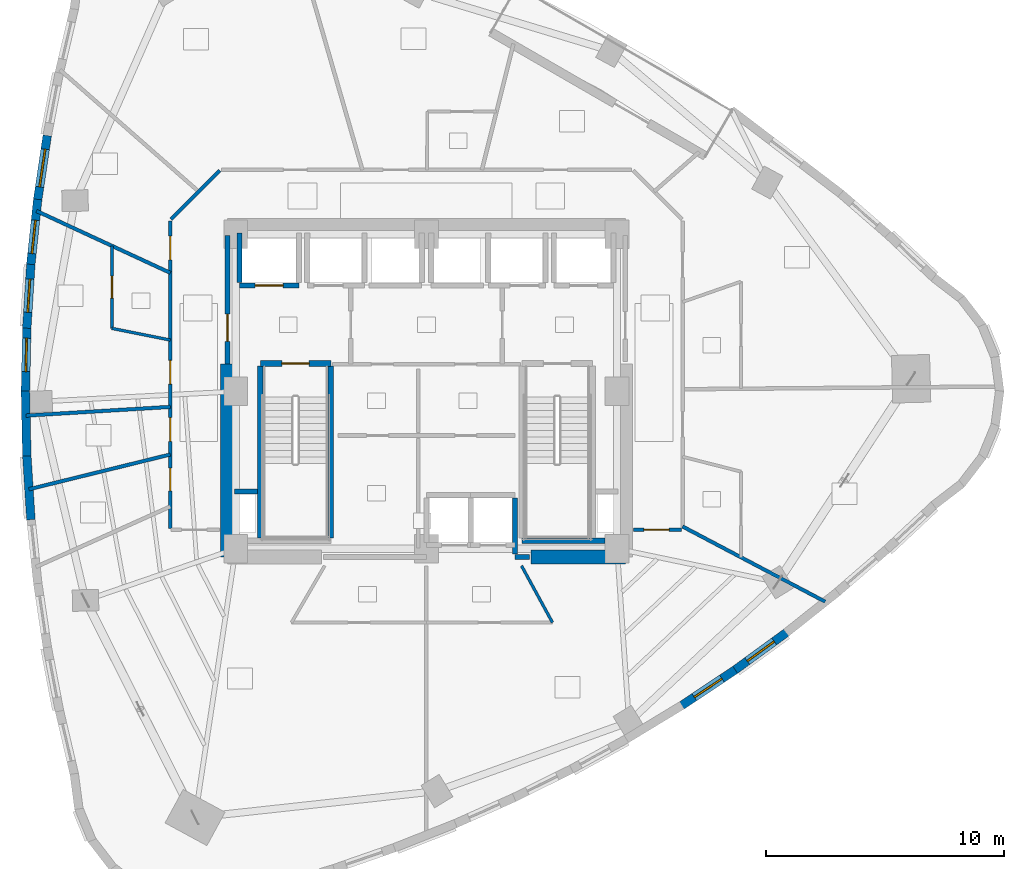
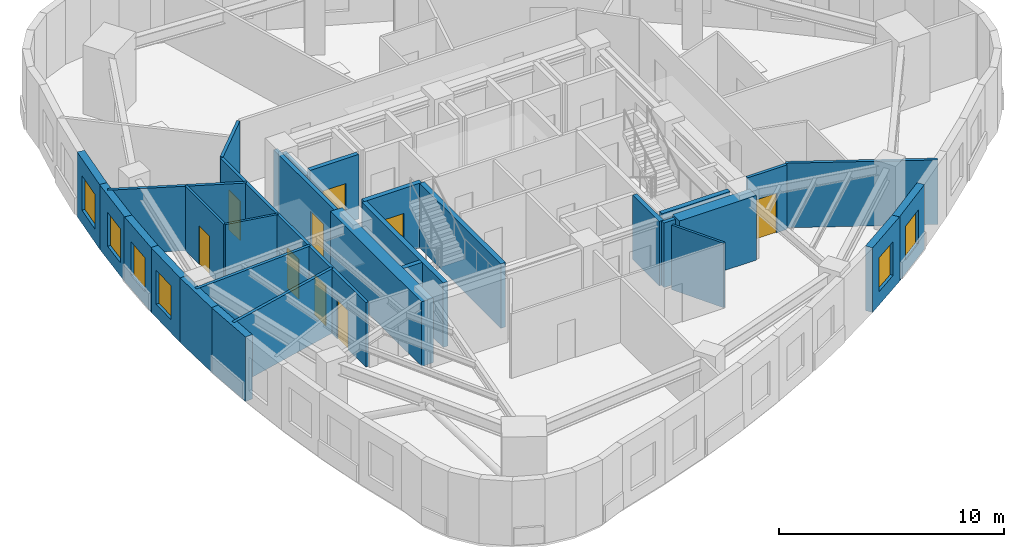
# One storey, part 8 of 14: 30 walls, 9 doors, 6 windows, 15 openings.
"""IFC4 building model written with IfcOpenShell, lengths in metres."""

from ifc_helpers import new_model, si_unit, direction, frame, frame_2d, origin, place, context, subcontext, project, spatial, rectangle, extrude, material, layer, layer_set, type_object, element, fill, save


model = new_model("IFC4")

# Units and contexts
model_context = context("Model", 3, precision=1e-05, world=origin(), true_north=direction((0.0, 1.0)))
body_context = subcontext(model_context, "Body", "Model", "MODEL_VIEW")
ifc_project = project(units=[si_unit("LENGTHUNIT", "METRE"), si_unit("AREAUNIT", "SQUARE_METRE"), si_unit("VOLUMEUNIT", "CUBIC_METRE"), si_unit("PLANEANGLEUNIT", "RADIAN"), si_unit("MASSUNIT", "GRAM", prefix="KILO")], contexts=[model_context])

# Site, building, storey
site_placement = place(None, origin())
site = spatial("IfcSite", under=ifc_project, at=site_placement, CompositionType="ELEMENT")
building_placement = place(site_placement, origin())
building = spatial("IfcBuilding", under=site, at=building_placement, Name="Ndelora Gate Hotel", CompositionType="ELEMENT")
storey_placement = place(building_placement, frame((0.0, 0.0, 119.75)))
storey = spatial("IfcBuildingStorey", under=building, at=storey_placement, Name="L29", CompositionType="ELEMENT", Elevation=119.75)

# Wall, opening, window
ifc_material_1 = material(Name="Clay Brick Masonry", Category="masonry")
ifc_layer_1 = layer(ifc_material_1, 0.360107421875)
ifc_layer_set_1 = layer_set([ifc_layer_1], Name="Clay Brick Masonry")
wall_type_1 = type_object("IfcWallType", Name="WL-BRICK-360", PredefinedType="SOLIDWALL", material=ifc_layer_set_1)
wall_1_placement = place(storey_placement, frame((-16.3212890625, 8.01220703125, 0.0), z_axis=(0.0, 0.0, 1.0), x_axis=(0.147193392227, 0.98910773189, 0.0)))
wall_1 = element("IfcWall", 1, at=wall_1_placement, inside=storey, type_object=wall_type_1, Name="L29 Tower Brick Pier-and-Spandrel Wall TWR-11", PredefinedType="SOLIDWALL", context=body_context, shape_type="SweptSolid", body=[
    extrude(rectangle(XDim=2.75830078125, YDim=0.360107421875, at=frame_2d((1.379150390625, 0.0))), origin(), (0.0, 0.0, 1.0), 3.5),
])
opening_1_placement = place(wall_1_placement, frame((0.5791015625, 0.0, 0.719970703125)))
opening_1 = element("IfcOpeningElement", 2, at=opening_1_placement, cuts=wall_1, Name="Opening W01", PredefinedType="OPENING", context=body_context, shape_type="SweptSolid", body=[
    extrude(rectangle(XDim=1.60009765625, YDim=1.8798828125, at=frame_2d((0.800048828125, 0.93994140625))), frame((0.0, 0.18994140625, 0.0), z_axis=(0.0, -1.0, 0.0), x_axis=(1.0, 0.0, 0.0)), (0.0, 0.0, 1.0), 0.380126953125),
])
ifc_material_2 = material(Name="Insulated Low-E Double Glazing in Bronze Aluminium Frame", Category="aluminium")
window_type_1 = type_object("IfcWindowType", Name="WN-DEEP-1600", PartitioningType="SINGLE_PANEL", PredefinedType="WINDOW", material=ifc_material_2)
window_1_placement = place(opening_1_placement, origin())
window_1 = element("IfcWindow", 3, at=window_1_placement, inside=storey, type_object=window_type_1, Name="L29 Deep-Set Brick-Pier Window W01", OverallHeight=1.8798828125, OverallWidth=1.60009765625, PartitioningType="SINGLE_PANEL", PredefinedType="WINDOW", context=body_context, shape_type="SweptSolid", body=[
    extrude(rectangle(XDim=1.60009765625, YDim=1.8798828125, at=frame_2d((0.800048828125, 0.93994140625))), frame((0.0, 0.030029296875, 0.0), z_axis=(0.0, -1.0, 0.0), x_axis=(1.0, 0.0, 0.0)), (0.0, 0.0, 1.0), 0.06005859375),
])
fill(opening_1, window_1)

wall_2_placement = place(storey_placement, frame((-16.60498046875, 5.3330078125, 0.0), z_axis=(0.0, 0.0, 1.0), x_axis=(0.105606362296, 0.994408012962, 0.0)))
wall_2 = element("IfcWall", 4, at=wall_2_placement, inside=storey, type_object=wall_type_1, Name="L29 Tower Brick Pier-and-Spandrel Wall TWR-12", PredefinedType="SOLIDWALL", context=body_context, shape_type="SweptSolid", body=[
    extrude(rectangle(XDim=2.744140625, YDim=0.360107421875, at=frame_2d((1.3720703125, 0.0))), origin(), (0.0, 0.0, 1.0), 3.5),
])
opening_2_placement = place(wall_2_placement, frame((0.4599609375, 0.0, 0.719970703125)))
opening_2 = element("IfcOpeningElement", 5, at=opening_2_placement, cuts=wall_2, Name="Opening W02", PredefinedType="OPENING", context=body_context, shape_type="SweptSolid", body=[
    extrude(rectangle(XDim=1.39990234375, YDim=1.840087890625, at=frame_2d((0.699951171875, 0.919921875))), frame((0.0, 0.18994140625, 0.0), z_axis=(0.0, -1.0, 0.0), x_axis=(1.0, 0.0, 0.0)), (0.0, 0.0, 1.0), 0.380126953125),
])
window_type_2 = type_object("IfcWindowType", Name="WN-DEEP-1400", PartitioningType="SINGLE_PANEL", PredefinedType="WINDOW", material=ifc_material_2)
window_2_placement = place(opening_2_placement, origin())
window_2 = element("IfcWindow", 6, at=window_2_placement, inside=storey, type_object=window_type_2, Name="L29 Deep-Set Brick-Pier Window W02", OverallHeight=1.840087890625, OverallWidth=1.39990234375, PartitioningType="SINGLE_PANEL", PredefinedType="WINDOW", context=body_context, shape_type="SweptSolid", body=[
    extrude(rectangle(XDim=1.39990234375, YDim=1.840087890625, at=frame_2d((0.699951171875, 0.919921875))), frame((0.0, 0.030029296875, 0.0), z_axis=(0.0, -1.0, 0.0), x_axis=(1.0, 0.0, 0.0)), (0.0, 0.0, 1.0), 0.06005859375),
])
fill(opening_2, window_2)

wall_3_placement = place(storey_placement, frame((-16.77490234375, 2.654052734375, 0.0), z_axis=(0.0, 0.0, 1.0), x_axis=(0.063662313476, 0.99797149751, 0.0)))
wall_3 = element("IfcWall", 7, at=wall_3_placement, inside=storey, type_object=wall_type_1, Name="L29 Tower Brick Pier-and-Spandrel Wall TWR-13", PredefinedType="SOLIDWALL", context=body_context, shape_type="SweptSolid", body=[
    extrude(rectangle(XDim=2.734375, YDim=0.360107421875, at=frame_2d((1.3671875, 0.0))), origin(), (0.0, 0.0, 1.0), 3.5),
])
opening_3_placement = place(wall_3_placement, frame((0.667236328125, 0.0, 0.719970703125)))
opening_3 = element("IfcOpeningElement", 8, at=opening_3_placement, cuts=wall_3, Name="Opening W02", PredefinedType="OPENING", context=body_context, shape_type="SweptSolid", body=[
    extrude(rectangle(XDim=1.39990234375, YDim=1.840087890625, at=frame_2d((0.699951171875, 0.919921875))), frame((0.0, 0.18994140625, 0.0), z_axis=(0.0, -1.0, 0.0), x_axis=(1.0, 0.0, 0.0)), (0.0, 0.0, 1.0), 0.380126953125),
])
window_3_placement = place(opening_3_placement, origin())
window_3 = element("IfcWindow", 9, at=window_3_placement, inside=storey, type_object=window_type_2, Name="L29 Deep-Set Brick-Pier Window W02", OverallHeight=1.840087890625, OverallWidth=1.39990234375, PartitioningType="SINGLE_PANEL", PredefinedType="WINDOW", context=body_context, shape_type="SweptSolid", body=[
    extrude(rectangle(XDim=1.39990234375, YDim=1.840087890625, at=frame_2d((0.699951171875, 0.919921875))), frame((0.0, 0.030029296875, 0.0), z_axis=(0.0, -1.0, 0.0), x_axis=(1.0, 0.0, 0.0)), (0.0, 0.0, 1.0), 0.06005859375),
])
fill(opening_3, window_3)

wall_4_placement = place(storey_placement, frame((-16.830810546875, -0.02490234375, 0.0), z_axis=(0.0, 0.0, 1.0), x_axis=(0.021286998628, 0.999773406172, 0.0)))
wall_4 = element("IfcWall", 10, at=wall_4_placement, inside=storey, type_object=wall_type_1, Name="L29 Tower Brick Pier-and-Spandrel Wall TWR-14", PredefinedType="SOLIDWALL", context=body_context, shape_type="SweptSolid", body=[
    extrude(rectangle(XDim=2.729736328125, YDim=0.360107421875, at=frame_2d((1.36474609375, 0.0))), origin(), (0.0, 0.0, 1.0), 3.5),
])
opening_4_placement = place(wall_4_placement, frame((0.860107421875, 0.0, 0.719970703125)))
opening_4 = element("IfcOpeningElement", 11, at=opening_4_placement, cuts=wall_4, Name="Opening W02", PredefinedType="OPENING", context=body_context, shape_type="SweptSolid", body=[
    extrude(rectangle(XDim=1.39990234375, YDim=1.840087890625, at=frame_2d((0.699951171875, 0.919921875))), frame((0.0, 0.18994140625, 0.0), z_axis=(0.0, -1.0, 0.0), x_axis=(1.0, 0.0, 0.0)), (0.0, 0.0, 1.0), 0.380126953125),
])
window_4_placement = place(opening_4_placement, origin())
window_4 = element("IfcWindow", 12, at=window_4_placement, inside=storey, type_object=window_type_2, Name="L29 Deep-Set Brick-Pier Window W02", OverallHeight=1.840087890625, OverallWidth=1.39990234375, PartitioningType="SINGLE_PANEL", PredefinedType="WINDOW", context=body_context, shape_type="SweptSolid", body=[
    extrude(rectangle(XDim=1.39990234375, YDim=1.840087890625, at=frame_2d((0.699951171875, 0.919921875))), frame((0.0, 0.030029296875, 0.0), z_axis=(0.0, -1.0, 0.0), x_axis=(1.0, 0.0, 0.0)), (0.0, 0.0, 1.0), 0.06005859375),
])
fill(opening_4, window_4)

# Walls
wall_5_placement = place(storey_placement, frame((-16.772705078125, -2.7041015625, 0.0), z_axis=(0.0, 0.0, 1.0), x_axis=(-0.021286998628, 0.999773406172, 0.0)))
element("IfcWall", 13, at=wall_5_placement, inside=storey, type_object=wall_type_1, Name="L29 Tower Brick Pier-and-Spandrel Wall TWR-15", PredefinedType="SOLIDWALL", context=body_context, shape_type="SweptSolid", body=[
    extrude(rectangle(XDim=2.729736328125, YDim=0.360107421875, at=frame_2d((1.36474609375, 0.0))), origin(), (0.0, 0.0, 1.0), 3.5),
])
wall_6_placement = place(storey_placement, frame((-16.600830078125, -5.3828125, 0.0), z_axis=(0.0, 0.0, 1.0), x_axis=(-0.063662313476, 0.99797149751, 0.0)))
element("IfcWall", 14, at=wall_6_placement, inside=storey, type_object=wall_type_1, Name="L29 Tower Brick Pier-and-Spandrel Wall TWR-16", PredefinedType="SOLIDWALL", context=body_context, shape_type="SweptSolid", body=[
    extrude(rectangle(XDim=2.734375, YDim=0.360107421875, at=frame_2d((1.3671875, 0.0))), origin(), (0.0, 0.0, 1.0), 3.5),
])

# Wall, opening, window
wall_7_placement = place(storey_placement, frame((12.962158203125, -11.685302734375, 0.0), z_axis=(0.0, 0.0, 1.0), x_axis=(-0.832462133921, -0.554081939416, 0.0)))
wall_7 = element("IfcWall", 15, at=wall_7_placement, inside=storey, type_object=wall_type_1, Name="L29 Tower Brick Pier-and-Spandrel Wall TWR-36", PredefinedType="SOLIDWALL", context=body_context, shape_type="SweptSolid", body=[
    extrude(rectangle(XDim=2.734619140625, YDim=0.360107421875, at=frame_2d((1.3671875, 0.0))), origin(), (0.0, 0.0, 1.0), 3.5),
])
opening_5_placement = place(wall_7_placement, frame((0.667236328125, 0.0, 0.719970703125)))
opening_5 = element("IfcOpeningElement", 16, at=opening_5_placement, cuts=wall_7, Name="Opening W02", PredefinedType="OPENING", context=body_context, shape_type="SweptSolid", body=[
    extrude(rectangle(XDim=1.39990234375, YDim=1.840087890625, at=frame_2d((0.699951171875, 0.919921875))), frame((0.0, 0.18994140625, 0.0), z_axis=(0.0, -1.0, 0.0), x_axis=(1.0, 0.0, 0.0)), (0.0, 0.0, 1.0), 0.380126953125),
])
window_5_placement = place(opening_5_placement, origin())
window_5 = element("IfcWindow", 17, at=window_5_placement, inside=storey, type_object=window_type_2, Name="L29 Deep-Set Brick-Pier Window W02", OverallHeight=1.840087890625, OverallWidth=1.39990234375, PartitioningType="SINGLE_PANEL", PredefinedType="WINDOW", context=body_context, shape_type="SweptSolid", body=[
    extrude(rectangle(XDim=1.39990234375, YDim=1.840087890625, at=frame_2d((0.699951171875, 0.919921875))), frame((0.0, 0.030029296875, 0.0), z_axis=(0.0, -1.0, 0.0), x_axis=(1.0, 0.0, 0.0)), (0.0, 0.0, 1.0), 0.06005859375),
])
fill(opening_5, window_5)

wall_8_placement = place(storey_placement, frame((15.13916015625, -10.098388671875, 0.0), z_axis=(0.0, 0.0, 1.0), x_axis=(-0.808324203432, -0.588737617403, 0.0)))
wall_8 = element("IfcWall", 18, at=wall_8_placement, inside=storey, type_object=wall_type_1, Name="L29 Tower Brick Pier-and-Spandrel Wall TWR-37", PredefinedType="SOLIDWALL", context=body_context, shape_type="SweptSolid", body=[
    extrude(rectangle(XDim=2.743896484375, YDim=0.360107421875, at=frame_2d((1.3720703125, 0.0))), origin(), (0.0, 0.0, 1.0), 3.5),
])
opening_6_placement = place(wall_8_placement, frame((0.672119140625, 0.0, 0.719970703125)))
opening_6 = element("IfcOpeningElement", 19, at=opening_6_placement, cuts=wall_8, Name="Opening W02", PredefinedType="OPENING", context=body_context, shape_type="SweptSolid", body=[
    extrude(rectangle(XDim=1.39990234375, YDim=1.840087890625, at=frame_2d((0.699951171875, 0.919921875))), frame((0.0, 0.18994140625, 0.0), z_axis=(0.0, -1.0, 0.0), x_axis=(1.0, 0.0, 0.0)), (0.0, 0.0, 1.0), 0.380126953125),
])
window_6_placement = place(opening_6_placement, origin())
window_6 = element("IfcWindow", 20, at=window_6_placement, inside=storey, type_object=window_type_2, Name="L29 Deep-Set Brick-Pier Window W02", OverallHeight=1.840087890625, OverallWidth=1.39990234375, PartitioningType="SINGLE_PANEL", PredefinedType="WINDOW", context=body_context, shape_type="SweptSolid", body=[
    extrude(rectangle(XDim=1.39990234375, YDim=1.840087890625, at=frame_2d((0.699951171875, 0.919921875))), frame((0.0, 0.030029296875, 0.0), z_axis=(0.0, -1.0, 0.0), x_axis=(1.0, 0.0, 0.0)), (0.0, 0.0, 1.0), 0.06005859375),
])
fill(opening_6, window_6)

# Walls
ifc_material_3 = material(Name="Concrete C60/75", Category="concrete")
ifc_layer_2 = layer(ifc_material_3, 0.60009765625)
ifc_layer_set_2 = layer_set([ifc_layer_2], Name="Concrete C60/75")
wall_type_2 = type_object("IfcWallType", Name="WL-CORE-600", PredefinedType="SHEAR", material=ifc_layer_set_2)
wall_9_placement = place(storey_placement, frame((4.39990234375, -6.949951171875, 0.0), z_axis=(0.0, 0.0, 1.0), x_axis=(1.0, 0.0, 0.0)))
element("IfcWall", 21, at=wall_9_placement, inside=storey, type_object=wall_type_2, Name="L29 Core Shear Wall S-E", PredefinedType="SHEAR", context=body_context, shape_type="SweptSolid", body=[
    extrude(rectangle(XDim=3.9501953125, YDim=0.60009765625, at=frame_2d((1.97509765625, 0.0))), origin(), (0.0, 0.0, 1.0), 3.5),
])
wall_10_placement = place(storey_placement, frame((-8.35009765625, -6.949951171875, 0.0), z_axis=(0.0, 0.0, 1.0), x_axis=(0.0, 1.0, 0.0)))
element("IfcWall", 22, at=wall_10_placement, inside=storey, type_object=wall_type_2, Name="L29 Core Shear Wall W", PredefinedType="SHEAR", context=body_context, shape_type="SweptSolid", body=[
    extrude(rectangle(XDim=8.099853515625, YDim=0.60009765625, at=frame_2d((4.0498046875, 0.0))), origin(), (0.0, 0.0, 1.0), 3.5),
])

# Wall, opening, door
ifc_material_4 = material(Name="Concrete C40/50", Category="concrete")
ifc_layer_3 = layer(ifc_material_4, 0.199951171875)
ifc_layer_set_3 = layer_set([ifc_layer_3], Name="Concrete C40/50")
wall_type_3 = type_object("IfcWallType", Name="WL-FIRE-200", PredefinedType="PARTITIONING", material=ifc_layer_set_3)
wall_11_placement = place(storey_placement, frame((-8.35009765625, 1.14990234375, 0.0), z_axis=(0.0, 0.0, 1.0), x_axis=(0.0, 1.0, 0.0)))
wall_11 = element("IfcWall", 23, at=wall_11_placement, inside=storey, type_object=wall_type_3, Name="L29 Interior Wall IW-2", PredefinedType="PARTITIONING", context=body_context, shape_type="SweptSolid", body=[
    extrude(rectangle(XDim=5.400146484375, YDim=0.199951171875, at=frame_2d((2.7001953125, 0.0))), origin(), (0.0, 0.0, 1.0), 3.5),
])
opening_7_placement = place(wall_11_placement, frame((0.949951171875, 0.0, 0.0)))
opening_7 = element("IfcOpeningElement", 24, at=opening_7_placement, cuts=wall_11, Name="Opening FD1", PredefinedType="OPENING", context=body_context, shape_type="SweptSolid", body=[
    extrude(rectangle(XDim=1.14990234375, YDim=2.14990234375, at=frame_2d((0.574951171875, 1.074951171875))), frame((0.0, 0.10986328125, 0.0), z_axis=(0.0, -1.0, 0.0), x_axis=(1.0, 0.0, 0.0)), (0.0, 0.0, 1.0), 0.219970703125),
])
ifc_material_5 = material(Name="Fire-Rated Timber-Veneer Steel Core", Category="steel")
door_type_1 = type_object("IfcDoorType", Name="DR-FD60", OperationType="SINGLE_SWING_LEFT", PredefinedType="DOOR", material=ifc_material_5)
door_1_placement = place(opening_7_placement, origin())
door_1 = element("IfcDoor", 25, at=door_1_placement, inside=storey, type_object=door_type_1, Name="L29 Firefighting Lobby West Corridor Door", OperationType="SINGLE_SWING_LEFT", OverallHeight=2.14990234375, OverallWidth=1.14990234375, PredefinedType="DOOR", context=body_context, shape_type="SweptSolid", body=[
    extrude(rectangle(XDim=1.14990234375, YDim=2.14990234375, at=frame_2d((0.574951171875, 1.074951171875))), frame((0.0, 0.02490234375, 0.0), z_axis=(0.0, -1.0, 0.0), x_axis=(1.0, 0.0, 0.0)), (0.0, 0.0, 1.0), 0.050048828125),
])
fill(opening_7, door_1)

# Wall
wall_12_placement = place(storey_placement, frame((3.719970703125, -6.949951171875, 0.0), z_axis=(0.0, 0.0, 1.0), x_axis=(1.0, 0.0, 0.0)))
element("IfcWall", 26, at=wall_12_placement, inside=storey, type_object=wall_type_3, Name="L29 Interior Wall IW-2", PredefinedType="PARTITIONING", context=body_context, shape_type="SweptSolid", body=[
    extrude(rectangle(XDim=0.60009765625, YDim=0.199951171875, at=frame_2d((0.300048828125, 0.0))), origin(), (0.0, 0.0, 1.0), 3.5),
])

# Wall, opening, door
ifc_material_6 = material(Name="Fire-Rated Gypsum Stud Partition", Category="gypsum")
ifc_layer_4 = layer(ifc_material_6, 0.14990234375)
ifc_layer_set_4 = layer_set([ifc_layer_4], Name="Fire-Rated Gypsum Stud Partition")
wall_type_4 = type_object("IfcWallType", Name="WL-PART-150", PredefinedType="PARTITIONING", material=ifc_layer_set_4)
wall_13_placement = place(storey_placement, frame((10.7099609375, -5.800048828125, 0.0), z_axis=(0.0, 0.0, 1.0), x_axis=(-1.0, 0.0, 0.0)))
wall_13 = element("IfcWall", 27, at=wall_13_placement, inside=storey, type_object=wall_type_4, Name="L29 Interior Wall IW-5", PredefinedType="PARTITIONING", context=body_context, shape_type="SweptSolid", body=[
    extrude(rectangle(XDim=2.02001953125, YDim=0.14990234375, at=frame_2d((1.010009765625, 0.0))), origin(), (0.0, 0.0, 1.0), 3.5),
])
opening_8_placement = place(wall_13_placement, frame((0.52001953125, 0.0, 0.0)))
opening_8 = element("IfcOpeningElement", 28, at=opening_8_placement, cuts=wall_13, Name="Opening D07", PredefinedType="OPENING", context=body_context, shape_type="SweptSolid", body=[
    extrude(rectangle(XDim=1.06005859375, YDim=2.14990234375, at=frame_2d((0.530029296875, 1.074951171875))), frame((0.0, 0.0849609375, 0.0), z_axis=(0.0, -1.0, 0.0), x_axis=(1.0, 0.0, 0.0)), (0.0, 0.0, 1.0), 0.169921875),
])
ifc_material_7 = material(Name="Diplomatic Suite Acoustic Entrance Door", Category="wood")
door_type_2 = type_object("IfcDoorType", Name="DR-SUITE-1060", OperationType="SINGLE_SWING_LEFT", PredefinedType="DOOR", material=ifc_material_7)
door_2_placement = place(opening_8_placement, origin())
door_2 = element("IfcDoor", 29, at=door_2_placement, inside=storey, type_object=door_type_2, Name="L29 Club King Corner Suite 3202 Entrance Door", OperationType="SINGLE_SWING_RIGHT", OverallHeight=2.14990234375, OverallWidth=1.06005859375, PredefinedType="DOOR", context=body_context, shape_type="SweptSolid", body=[
    extrude(rectangle(XDim=1.06005859375, YDim=2.14990234375, at=frame_2d((0.530029296875, 1.074951171875))), frame((0.0, 0.02490234375, 0.0), z_axis=(0.0, -1.0, 0.0), x_axis=(1.0, 0.0, 0.0)), (0.0, 0.0, 1.0), 0.050048828125),
])
fill(opening_8, door_2)

# Wall
wall_14_placement = place(storey_placement, frame((-10.7216796875, 7.228271484375, 0.0), z_axis=(0.0, 0.0, 1.0), x_axis=(0.707106781187, 0.707106781187, 0.0)))
element("IfcWall", 30, at=wall_14_placement, inside=storey, type_object=wall_type_4, Name="L29 Interior Wall IW-5", PredefinedType="PARTITIONING", context=body_context, shape_type="SweptSolid", body=[
    extrude(rectangle(XDim=2.889892578125, YDim=0.14990234375, at=frame_2d((1.44482421875, 0.0))), origin(), (0.0, 0.0, 1.0), 3.5),
])

# Wall, openings, doors
wall_15_placement = place(storey_placement, frame((-10.75, -5.760009765625, 0.0), z_axis=(0.0, 0.0, 1.0), x_axis=(0.0, 1.0, 0.0)))
wall_15 = element("IfcWall", 31, at=wall_15_placement, inside=storey, type_object=wall_type_4, Name="L29 Interior Wall IW-5", PredefinedType="PARTITIONING", context=body_context, shape_type="SweptSolid", body=[
    extrude(rectangle(XDim=12.919921875, YDim=0.14990234375, at=frame_2d((6.4599609375, 0.0))), origin(), (0.0, 0.0, 1.0), 3.5),
])
opening_9_placement = place(wall_15_placement, frame((3.660400390625, 0.0, 0.0)))
opening_9 = element("IfcOpeningElement", 32, at=opening_9_placement, cuts=wall_15, Name="Opening D01", PredefinedType="OPENING", context=body_context, shape_type="SweptSolid", body=[
    extrude(rectangle(XDim=1.0, YDim=2.14990234375, at=frame_2d((0.5, 1.074951171875))), frame((0.0, 0.0849609375, 0.0), z_axis=(0.0, -1.0, 0.0), x_axis=(1.0, 0.0, 0.0)), (0.0, 0.0, 1.0), 0.169921875),
])
opening_10_placement = place(wall_15_placement, frame((1.5888671875, 0.0, 0.0)))
opening_10 = element("IfcOpeningElement", 33, at=opening_10_placement, cuts=wall_15, Name="Opening D05", PredefinedType="OPENING", context=body_context, shape_type="SweptSolid", body=[
    extrude(rectangle(XDim=0.949951171875, YDim=2.10009765625, at=frame_2d((0.47509765625, 1.050048828125))), frame((0.0, 0.0849609375, 0.0), z_axis=(0.0, -1.0, 0.0), x_axis=(1.0, 0.0, 0.0)), (0.0, 0.0, 1.0), 0.169921875),
])
opening_11_placement = place(wall_15_placement, frame((11.2783203125, 0.0, 0.0)))
opening_11 = element("IfcOpeningElement", 34, at=opening_11_placement, cuts=wall_15, Name="Opening D01", PredefinedType="OPENING", context=body_context, shape_type="SweptSolid", body=[
    extrude(rectangle(XDim=1.0, YDim=2.14990234375, at=frame_2d((0.5, 1.074951171875))), frame((0.0, 0.0849609375, 0.0), z_axis=(0.0, -1.0, 0.0), x_axis=(1.0, 0.0, 0.0)), (0.0, 0.0, 1.0), 0.169921875),
])
opening_12_placement = place(wall_15_placement, frame((6.064697265625, 0.0, 0.0)))
opening_12 = element("IfcOpeningElement", 35, at=opening_12_placement, cuts=wall_15, Name="Opening D01", PredefinedType="OPENING", context=body_context, shape_type="SweptSolid", body=[
    extrude(rectangle(XDim=1.0, YDim=2.14990234375, at=frame_2d((0.5, 1.074951171875))), frame((0.0, 0.0849609375, 0.0), z_axis=(0.0, -1.0, 0.0), x_axis=(1.0, 0.0, 0.0)), (0.0, 0.0, 1.0), 0.169921875),
])
ifc_material_8 = material(Name="Accessible Restroom Wide-Clearance Door", Category="wood")
door_type_3 = type_object("IfcDoorType", Name="DR-ACC-950", OperationType="SINGLE_SWING_LEFT", PredefinedType="DOOR", material=ifc_material_8)
door_3_placement = place(opening_10_placement, origin())
door_3 = element("IfcDoor", 36, at=door_3_placement, inside=storey, type_object=door_type_3, Name="L29 Accessible WC Entrance Door", OperationType="SINGLE_SWING_LEFT", OverallHeight=2.10009765625, OverallWidth=0.949951171875, PredefinedType="DOOR", context=body_context, shape_type="SweptSolid", body=[
    extrude(rectangle(XDim=0.949951171875, YDim=2.10009765625, at=frame_2d((0.47509765625, 1.050048828125))), frame((0.0, 0.02490234375, 0.0), z_axis=(0.0, -1.0, 0.0), x_axis=(1.0, 0.0, 0.0)), (0.0, 0.0, 1.0), 0.050048828125),
])
fill(opening_10, door_3)
ifc_material_9 = material(Name="Acoustic Hardwood Guest Entrance Door", Category="wood")
door_type_4 = type_object("IfcDoorType", Name="DR-COR-1000", OperationType="SINGLE_SWING_LEFT", PredefinedType="DOOR", material=ifc_material_9)
door_4_placement = place(opening_9_placement, origin())
door_4 = element("IfcDoor", 37, at=door_4_placement, inside=storey, type_object=door_type_4, Name="L29 Housekeeping and Linen Room Entrance Door", OperationType="SINGLE_SWING_RIGHT", OverallHeight=2.14990234375, OverallWidth=1.0, PredefinedType="DOOR", context=body_context, shape_type="SweptSolid", body=[
    extrude(rectangle(XDim=1.0, YDim=2.14990234375, at=frame_2d((0.5, 1.074951171875))), frame((0.0, 0.02490234375, 0.0), z_axis=(0.0, -1.0, 0.0), x_axis=(1.0, 0.0, 0.0)), (0.0, 0.0, 1.0), 0.050048828125),
])
fill(opening_9, door_4)
door_5_placement = place(opening_11_placement, origin())
door_5 = element("IfcDoor", 38, at=door_5_placement, inside=storey, type_object=door_type_4, Name="L29 Butler Finishing Kitchen Entrance Door", OperationType="SINGLE_SWING_LEFT", OverallHeight=2.14990234375, OverallWidth=1.0, PredefinedType="DOOR", context=body_context, shape_type="SweptSolid", body=[
    extrude(rectangle(XDim=1.0, YDim=2.14990234375, at=frame_2d((0.5, 1.074951171875))), frame((0.0, 0.02490234375, 0.0), z_axis=(0.0, -1.0, 0.0), x_axis=(1.0, 0.0, 0.0)), (0.0, 0.0, 1.0), 0.050048828125),
])
fill(opening_11, door_5)
door_6_placement = place(opening_12_placement, origin())
door_6 = element("IfcDoor", 39, at=door_6_placement, inside=storey, type_object=door_type_4, Name="L29 Club Superior Guest Room 3206 Entrance Door", OperationType="SINGLE_SWING_RIGHT", OverallHeight=2.14990234375, OverallWidth=1.0, PredefinedType="DOOR", context=body_context, shape_type="SweptSolid", body=[
    extrude(rectangle(XDim=1.0, YDim=2.14990234375, at=frame_2d((0.5, 1.074951171875))), frame((0.0, 0.02490234375, 0.0), z_axis=(0.0, -1.0, 0.0), x_axis=(1.0, 0.0, 0.0)), (0.0, 0.0, 1.0), 0.050048828125),
])
fill(opening_12, door_6)

# Walls
wall_16_placement = place(storey_placement, frame((10.75, -5.667724609375, 0.0), z_axis=(0.0, 0.0, 1.0), x_axis=(0.884577755421, -0.466392747172, 0.0)))
element("IfcWall", 40, at=wall_16_placement, inside=storey, type_object=wall_type_4, Name="L29 Interior Wall IW-5", PredefinedType="PARTITIONING", context=body_context, shape_type="SweptSolid", body=[
    extrude(rectangle(XDim=6.77099609375, YDim=0.14990234375, at=frame_2d((3.385498046875, 0.0))), origin(), (0.0, 0.0, 1.0), 3.5),
])
wall_17_placement = place(storey_placement, frame((-10.75, 4.9765625, 0.0), z_axis=(0.0, 0.0, 1.0), x_axis=(-0.907495868458, 0.420061005964, 0.0)))
element("IfcWall", 41, at=wall_17_placement, inside=storey, type_object=wall_type_4, Name="L29 Interior Wall IW-5", PredefinedType="PARTITIONING", context=body_context, shape_type="SweptSolid", body=[
    extrude(rectangle(XDim=6.189208984375, YDim=0.14990234375, at=frame_2d((3.0947265625, 0.0))), origin(), (0.0, 0.0, 1.0), 3.5),
])
wall_18_placement = place(storey_placement, frame((-10.75, -0.6484375, 0.0), z_axis=(0.0, 0.0, 1.0), x_axis=(-0.998185459259, -0.060214524199, 0.0)))
element("IfcWall", 42, at=wall_18_placement, inside=storey, type_object=wall_type_4, Name="L29 Interior Wall IW-5", PredefinedType="PARTITIONING", context=body_context, shape_type="SweptSolid", body=[
    extrude(rectangle(XDim=6.069580078125, YDim=0.14990234375, at=frame_2d((3.03466796875, 0.0))), origin(), (0.0, 0.0, 1.0), 3.5),
])
wall_19_placement = place(storey_placement, frame((-10.75, -2.6455078125, 0.0), z_axis=(0.0, 0.0, 1.0), x_axis=(-0.97101530701, -0.239017308059, 0.0)))
element("IfcWall", 43, at=wall_19_placement, inside=storey, type_object=wall_type_4, Name="L29 Interior Wall IW-5", PredefinedType="PARTITIONING", context=body_context, shape_type="SweptSolid", body=[
    extrude(rectangle(XDim=6.109130859375, YDim=0.14990234375, at=frame_2d((3.0546875, 0.0))), origin(), (0.0, 0.0, 1.0), 3.5),
])
ifc_layer_5 = layer(ifc_material_4, 0.219970703125)
ifc_layer_set_5 = layer_set([ifc_layer_5], Name="Concrete C40/50")
wall_type_5 = type_object("IfcWallType", Name="WL-SHAFT-220", PredefinedType="PARTITIONING", material=ifc_layer_set_5)
wall_20_placement = place(storey_placement, frame((-8.050048828125, -4.199951171875, 0.0), z_axis=(0.0, 0.0, 1.0), x_axis=(1.0, 0.0, 0.0)))
element("IfcWall", 44, at=wall_20_placement, inside=storey, type_object=wall_type_5, Name="L29 Interior Wall IW-1", PredefinedType="PARTITIONING", context=body_context, shape_type="SweptSolid", body=[
    extrude(rectangle(XDim=0.9599609375, YDim=0.219970703125, at=frame_2d((0.47998046875, 0.0))), origin(), (0.0, 0.0, 1.0), 3.5),
])

# Wall, opening, door
wall_21_placement = place(storey_placement, frame((-7.85009765625, 4.449951171875, 0.0), z_axis=(0.0, 0.0, 1.0), x_axis=(1.0, 0.0, 0.0)))
wall_21 = element("IfcWall", 45, at=wall_21_placement, inside=storey, type_object=wall_type_5, Name="L29 Interior Wall IW-1", PredefinedType="PARTITIONING", context=body_context, shape_type="SweptSolid", body=[
    extrude(rectangle(XDim=2.5, YDim=0.219970703125, at=frame_2d((1.25, 0.0))), origin(), (0.0, 0.0, 1.0), 3.5),
])
opening_13_placement = place(wall_21_placement, frame((0.659912109375, 0.0, 0.0)))
opening_13 = element("IfcOpeningElement", 46, at=opening_13_placement, cuts=wall_21, Name="Opening LD5", PredefinedType="OPENING", context=body_context, shape_type="SweptSolid", body=[
    extrude(rectangle(XDim=1.179931640625, YDim=2.14990234375, at=frame_2d((0.58984375, 1.074951171875))), frame((0.0, 0.1201171875, 0.0), z_axis=(0.0, -1.0, 0.0), x_axis=(1.0, 0.0, 0.0)), (0.0, 0.0, 1.0), 0.239990234375),
])
ifc_material_10 = material(Name="Firefighting Lift Stainless Sliding Landing Door", Category="metal")
door_type_5 = type_object("IfcDoorType", Name="DR-LD5", OperationType="DOUBLE_DOOR_SLIDING", PredefinedType="DOOR", material=ifc_material_10)
door_7_placement = place(opening_13_placement, origin())
door_7 = element("IfcDoor", 47, at=door_7_placement, inside=storey, type_object=door_type_5, Name="L29 Lift Landing Sliding Door FFL1", OperationType="DOUBLE_DOOR_SLIDING", OverallHeight=2.14990234375, OverallWidth=1.179931640625, PredefinedType="DOOR", context=body_context, shape_type="SweptSolid", body=[
    extrude(rectangle(XDim=1.179931640625, YDim=2.14990234375, at=frame_2d((0.58984375, 1.074951171875))), frame((0.0, 0.02490234375, 0.0), z_axis=(0.0, -1.0, 0.0), x_axis=(1.0, 0.0, 0.0)), (0.0, 0.0, 1.0), 0.050048828125),
])
fill(opening_13, door_7)

# Walls
wall_22_placement = place(storey_placement, frame((-7.85009765625, 4.570068359375, 0.0), z_axis=(0.0, 0.0, 1.0), x_axis=(0.0, 1.0, 0.0)))
element("IfcWall", 48, at=wall_22_placement, inside=storey, type_object=wall_type_5, Name="L29 Interior Wall IW-1", PredefinedType="PARTITIONING", context=body_context, shape_type="SweptSolid", body=[
    extrude(rectangle(XDim=2.079833984375, YDim=0.219970703125, at=frame_2d((1.0400390625, 0.0))), origin(), (0.0, 0.0, 1.0), 3.1201171875),
])
wall_23_placement = place(storey_placement, frame((3.719970703125, -6.830078125, 0.0), z_axis=(0.0, 0.0, 1.0), x_axis=(0.0, 1.0, 0.0)))
element("IfcWall", 49, at=wall_23_placement, inside=storey, type_object=wall_type_5, Name="L29 Interior Wall IW-1", PredefinedType="PARTITIONING", context=body_context, shape_type="SweptSolid", body=[
    extrude(rectangle(XDim=2.360107421875, YDim=0.219970703125, at=frame_2d((1.18017578125, 0.0))), origin(), (0.0, 0.0, 1.0), 3.5),
])
ifc_material_11 = material(Name="Concrete C50/60", Category="concrete")
ifc_layer_6 = layer(ifc_material_11, 0.239990234375)
ifc_layer_set_6 = layer_set([ifc_layer_6], Name="Concrete C50/60")
wall_type_6 = type_object("IfcWallType", Name="WL-STAIR-240", PredefinedType="SHEAR", material=ifc_layer_set_6)
for number, where, z_axis, x_axis, name in (
    (50, (-6.969970703125, -6.159912109375, 0.0), (0.0, 0.0, 1.0), (0.0, 1.0, 0.0), "L29 Stair Core Shear Wall SW-ST"),
    (51, (-4.010009765625, -6.159912109375, 0.0), (0.0, 0.0, 1.0), (0.0, 1.0, 0.0), "L29 Stair Core Shear Wall SW-ST"),
):
    element("IfcWall", number, at=place(storey_placement, frame(where, z_axis=z_axis, x_axis=x_axis)), inside=storey, type_object=wall_type_6, Name=name, PredefinedType="SHEAR", context=body_context, shape_type="SweptSolid", body=[
        extrude(rectangle(XDim=7.219970703125, YDim=0.239990234375, at=frame_2d((3.60986328125, 0.0))), origin(), (0.0, 0.0, 1.0), 3.5),
    ])

# Wall, opening, door
wall_24_placement = place(storey_placement, frame((-6.969970703125, 1.169921875, 0.0), z_axis=(0.0, 0.0, 1.0), x_axis=(1.0, 0.0, 0.0)))
wall_24 = element("IfcWall", 52, at=wall_24_placement, inside=storey, type_object=wall_type_6, Name="L29 Stair Core Shear Wall SW-ST", PredefinedType="SHEAR", context=body_context, shape_type="SweptSolid", body=[
    extrude(rectangle(XDim=2.9599609375, YDim=0.239990234375, at=frame_2d((1.47998046875, 0.0))), origin(), (0.0, 0.0, 1.0), 3.5),
])
opening_14_placement = place(wall_24_placement, frame((0.89990234375, 0.0, 0.0)))
opening_14 = element("IfcOpeningElement", 53, at=opening_14_placement, cuts=wall_24, Name="Opening FD1", PredefinedType="OPENING", context=body_context, shape_type="SweptSolid", body=[
    extrude(rectangle(XDim=1.14990234375, YDim=2.14990234375, at=frame_2d((0.574951171875, 1.074951171875))), frame((0.0, 0.1298828125, 0.0), z_axis=(0.0, -1.0, 0.0), x_axis=(1.0, 0.0, 0.0)), (0.0, 0.0, 1.0), 0.260009765625),
])
door_8_placement = place(opening_14_placement, origin())
door_8 = element("IfcDoor", 54, at=door_8_placement, inside=storey, type_object=door_type_1, Name="L29 Exit Stair ST4 Door", OperationType="SINGLE_SWING_LEFT", OverallHeight=2.14990234375, OverallWidth=1.14990234375, PredefinedType="DOOR", context=body_context, shape_type="SweptSolid", body=[
    extrude(rectangle(XDim=1.14990234375, YDim=2.14990234375, at=frame_2d((0.574951171875, 1.074951171875))), frame((0.0, 0.02490234375, 0.0), z_axis=(0.0, -1.0, 0.0), x_axis=(1.0, 0.0, 0.0)), (0.0, 0.0, 1.0), 0.050048828125),
])
fill(opening_14, door_8)

# Walls
wall_25_placement = place(storey_placement, frame((4.010009765625, -6.27001953125, 0.0), z_axis=(0.0, 0.0, 1.0), x_axis=(1.0, 0.0, 0.0)))
element("IfcWall", 55, at=wall_25_placement, inside=storey, type_object=wall_type_6, Name="L29 Stair Core Shear Wall SW-ST", PredefinedType="SHEAR", context=body_context, shape_type="SweptSolid", body=[
    extrude(rectangle(XDim=3.489990234375, YDim=0.239990234375, at=frame_2d((1.7451171875, 0.0))), origin(), (0.0, 0.0, 1.0), 3.5),
])
ifc_material_12 = material(Name="Moisture-Resistant Bathroom Tile Partition", Category="gypsum")
ifc_layer_7 = layer(ifc_material_12, 0.1201171875)
ifc_layer_set_7 = layer_set([ifc_layer_7], Name="Moisture-Resistant Bathroom Tile Partition")
wall_type_7 = type_object("IfcWallType", Name="WL-WET-120", PredefinedType="PARTITIONING", material=ifc_layer_set_7)
wall_26_placement = place(storey_placement, frame((3.992919921875, -7.320068359375, 0.0), z_axis=(0.0, 0.0, 1.0), x_axis=(0.478915225664, -0.877861154527, 0.0)))
element("IfcWall", 56, at=wall_26_placement, inside=storey, type_object=wall_type_7, Name="L29 Interior Wall IW-7", PredefinedType="PARTITIONING", context=body_context, shape_type="SweptSolid", body=[
    extrude(rectangle(XDim=2.7109375, YDim=0.1201171875, at=frame_2d((1.35546875, 0.0))), origin(), (0.0, 0.0, 1.0), 3.5),
])
wall_27_placement = place(storey_placement, frame((-10.75, 2.156005859375, 0.0), z_axis=(0.0, 0.0, 1.0), x_axis=(-0.980467777356, 0.196679784337, 0.0)))
element("IfcWall", 57, at=wall_27_placement, inside=storey, type_object=wall_type_7, Name="L29 Interior Wall IW-7", PredefinedType="PARTITIONING", context=body_context, shape_type="SweptSolid", body=[
    extrude(rectangle(XDim=2.498779296875, YDim=0.1201171875, at=frame_2d((1.24951171875, 0.0))), origin(), (0.0, 0.0, 1.0), 3.5),
])

# Wall, opening, door
wall_28_placement = place(storey_placement, frame((-13.199951171875, 2.6474609375, 0.0), z_axis=(0.0, 0.0, 1.0), x_axis=(0.0, 1.0, 0.0)))
wall_28 = element("IfcWall", 58, at=wall_28_placement, inside=storey, type_object=wall_type_7, Name="L29 Interior Wall IW-7", PredefinedType="PARTITIONING", context=body_context, shape_type="SweptSolid", body=[
    extrude(rectangle(XDim=3.463134765625, YDim=0.1201171875, at=frame_2d((1.7314453125, 0.0))), origin(), (0.0, 0.0, 1.0), 3.5),
])
opening_15_placement = place(wall_28_placement, frame((1.271484375, 0.0, 0.0)))
opening_15 = element("IfcOpeningElement", 59, at=opening_15_placement, cuts=wall_28, Name="Opening D03", PredefinedType="OPENING", context=body_context, shape_type="SweptSolid", body=[
    extrude(rectangle(XDim=0.919921875, YDim=2.10009765625, at=frame_2d((0.4599609375, 1.050048828125))), frame((0.0, 0.070068359375, 0.0), z_axis=(0.0, -1.0, 0.0), x_axis=(1.0, 0.0, 0.0)), (0.0, 0.0, 1.0), 0.14013671875),
])
ifc_material_13 = material(Name="Moisture-Resistant Hardwood En-Suite Door", Category="wood")
door_type_6 = type_object("IfcDoorType", Name="DR-BATH-920", OperationType="SINGLE_SWING_LEFT", PredefinedType="DOOR", material=ifc_material_13)
door_9_placement = place(opening_15_placement, origin())
door_9 = element("IfcDoor", 60, at=door_9_placement, inside=storey, type_object=door_type_6, Name="L29 En-suite Bathroom 3206 Door", OperationType="SINGLE_SWING_LEFT", OverallHeight=2.10009765625, OverallWidth=0.919921875, PredefinedType="DOOR", context=body_context, shape_type="SweptSolid", body=[
    extrude(rectangle(XDim=0.919921875, YDim=2.10009765625, at=frame_2d((0.4599609375, 1.050048828125))), frame((0.0, 0.02490234375, 0.0), z_axis=(0.0, -1.0, 0.0), x_axis=(1.0, 0.0, 0.0)), (0.0, 0.0, 1.0), 0.050048828125),
])
fill(opening_15, door_9)

save(model, "model.ifc")
